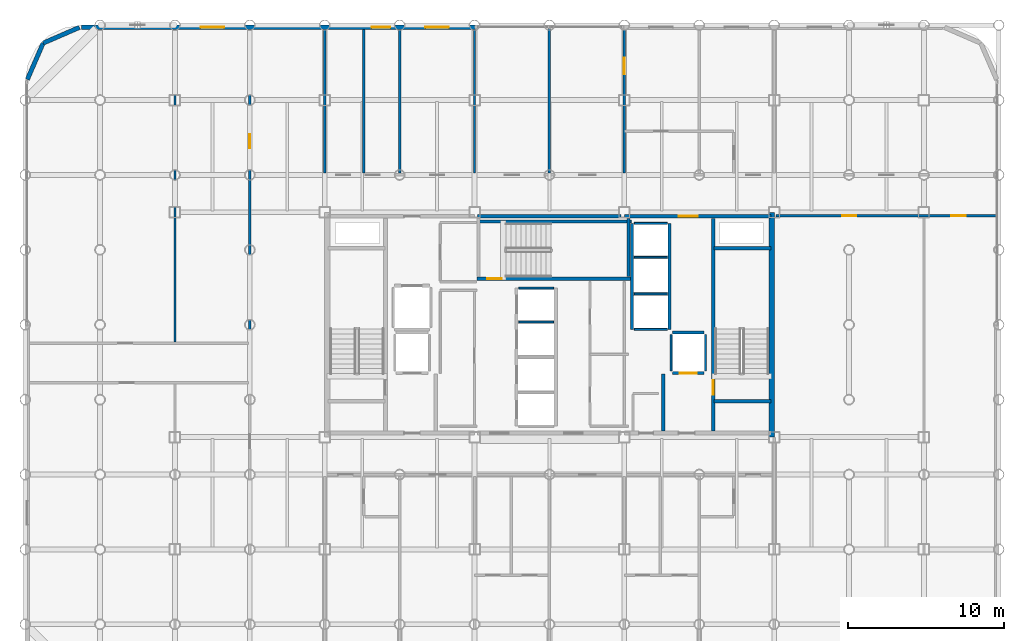
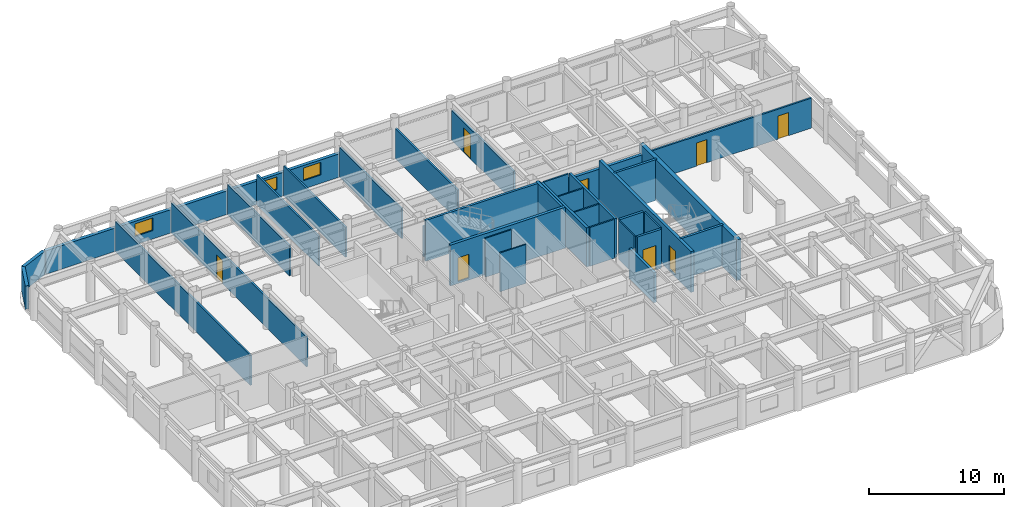
# One storey, part 18 of 20: 34 walls, 8 doors, 3 windows, 11 openings.
"""IFC4 building model written with IfcOpenShell, lengths in metres."""

from ifc_helpers import new_model, si_unit, direction, frame, frame_2d, origin, place, context, subcontext, project, spatial, rectangle, extrude, material, layer, layer_set, type_object, element, fill, save


model = new_model("IFC4")

# Units and contexts
model_context = context("Model", 3, precision=1e-05, world=origin(), true_north=direction((0.0, 1.0)))
body_context = subcontext(model_context, "Body", "Model", "MODEL_VIEW")
ifc_project = project(units=[si_unit("LENGTHUNIT", "METRE"), si_unit("AREAUNIT", "SQUARE_METRE"), si_unit("VOLUMEUNIT", "CUBIC_METRE"), si_unit("PLANEANGLEUNIT", "RADIAN"), si_unit("MASSUNIT", "GRAM", prefix="KILO")], contexts=[model_context])

# Site, building, storey
site_placement = place(None, origin())
site = spatial("IfcSite", under=ifc_project, at=site_placement, CompositionType="ELEMENT")
building_placement = place(site_placement, origin())
building = spatial("IfcBuilding", under=site, at=building_placement, Name="Kallvorn Hotel Tower", CompositionType="ELEMENT")
storey_placement = place(building_placement, frame((0.0, 0.0, 161.800048828125)))
storey = spatial("IfcBuildingStorey", under=building, at=storey_placement, Name="L40", CompositionType="ELEMENT", Elevation=161.800048828125)

# Walls
ifc_material_1 = material(Name="Concrete C50/60", Category="concrete")
ifc_layer_1 = layer(ifc_material_1, 0.35009765625)
ifc_layer_set_1 = layer_set([ifc_layer_1], Name="WL_CORE_350")
wall_type_1 = type_object("IfcWallType", Name="WL_CORE_350", PredefinedType="SHEAR", material=ifc_layer_set_1)
wall_1_placement = place(storey_placement, frame((14.239990234375, -7.199951171875, -0.179931640625), z_axis=(0.0, 0.0, 1.0), x_axis=(0.0, 1.0, 0.0)))
element("IfcWall", 1, at=wall_1_placement, inside=storey, type_object=wall_type_1, Name="L40 Core East Shear Wall", PredefinedType="SHEAR", context=body_context, shape_type="SweptSolid", body=[
    extrude(rectangle(XDim=14.39990234375, YDim=0.35009765625, at=frame_2d((7.199951171875, 0.0))), origin(), (0.0, 0.0, 1.0), 3.699951171875),
])
ifc_material_2 = material(Name="Fire-rated double-layer acoustic gypsum drywall EI 60")
ifc_layer_2 = layer(ifc_material_2, 0.159912109375)
ifc_layer_set_2 = layer_set([ifc_layer_2], Name="WL_DEMISE_160")
wall_type_2 = type_object("IfcWallType", Name="WL_DEMISE_160", PredefinedType="PARTITIONING", material=ifc_layer_set_2)
wall_2_placement = place(storey_placement, frame((0.0, 9.719970703125, 0.0), z_axis=(0.0, 0.0, 1.0), x_axis=(0.0, 1.0, 0.0)))
element("IfcWall", 2, at=wall_2_placement, inside=storey, type_object=wall_type_2, Name="L40 Suite 4005 Junior Living Salon Partition", PredefinedType="PARTITIONING", context=body_context, shape_type="SweptSolid", body=[
    extrude(rectangle(XDim=9.275146484375, YDim=0.159912109375, at=frame_2d((4.6376953125, 0.0))), origin(), (0.0, 0.0, 1.0), 2.719970703125),
])

# Wall, opening, door
wall_3_placement = place(storey_placement, frame((4.800048828125, 9.719970703125, 0.0), z_axis=(0.0, 0.0, 1.0), x_axis=(0.0, 1.0, 0.0)))
wall_3 = element("IfcWall", 3, at=wall_3_placement, inside=storey, type_object=wall_type_2, Name="L40 Suite 4005 Junior Living Salon Partition", PredefinedType="PARTITIONING", context=body_context, shape_type="SweptSolid", body=[
    extrude(rectangle(XDim=9.18994140625, YDim=0.159912109375, at=frame_2d((4.594970703125, 0.0))), origin(), (0.0, 0.0, 1.0), 2.719970703125),
])
opening_1_placement = place(wall_3_placement, frame((6.346923828125, 0.0, 0.0)))
opening_1 = element("IfcOpeningElement", 4, at=opening_1_placement, cuts=wall_3, Name="Opening GD2", PredefinedType="OPENING", context=body_context, shape_type="SweptSolid", body=[
    extrude(rectangle(XDim=1.050048828125, YDim=2.199951171875, at=frame_2d((0.52490234375, 1.10009765625))), frame((0.0, 0.094970703125, 0.0), z_axis=(0.0, -1.0, 0.0), x_axis=(1.0, 0.0, 0.0)), (0.0, 0.0, 1.0), 0.18994140625),
])
ifc_material_3 = material(Name="Solid-core walnut veneer fire-rated timber door leaf", Category="wood")
door_type_1 = type_object("IfcDoorType", Name="DR_SUITE_1050x2200", OperationType="NOTDEFINED", PredefinedType="DOOR", material=ifc_material_3)
door_1_placement = place(opening_1_placement, origin())
door_1 = element("IfcDoor", 5, at=door_1_placement, inside=storey, type_object=door_type_1, Name="L40 Suite 4005 Junior Bedroom Door", OperationType="SINGLE_SWING_LEFT", OverallHeight=2.199951171875, OverallWidth=1.050048828125, PredefinedType="DOOR", context=body_context, shape_type="SweptSolid", body=[
    extrude(rectangle(XDim=1.050048828125, YDim=2.199951171875, at=frame_2d((0.52490234375, 1.10009765625))), frame((0.0, 0.02490234375, 0.0), z_axis=(0.0, -1.0, 0.0), x_axis=(1.0, 0.0, 0.0)), (0.0, 0.0, 1.0), 0.050048828125),
])
fill(opening_1, door_1)

# Walls
ifc_material_4 = material(Name="Precast basalt-clad insulated concrete wall C40/50", Category="masonry")
ifc_layer_3 = layer(ifc_material_4, 0.280029296875)
ifc_layer_set_3 = layer_set([ifc_layer_3], Name="WL_EXT_LOGGIA_280")
wall_type_3 = type_object("IfcWallType", Name="WL_EXT_LOGGIA_280", PredefinedType="SOLIDWALL", material=ifc_layer_set_3)
wall_4_placement = place(storey_placement, frame((-30.120849609375, 19.057861328125, 0.0), z_axis=(0.0, 0.0, 1.0), x_axis=(-0.917060872934, -0.398747232384, 0.0)))
element("IfcWall", 6, at=wall_4_placement, inside=storey, type_object=wall_type_3, Name="L40 Rounded Corner Exterior Wall NW1", PredefinedType="SOLIDWALL", context=body_context, shape_type="SweptSolid", body=[
    extrude(rectangle(XDim=2.5361328125, YDim=0.280029296875, at=frame_2d((1.26806640625, 0.0))), origin(), (0.0, 0.0, 1.0), 2.119873046875),
])
wall_5_placement = place(storey_placement, frame((-32.446533203125, 18.046630859375, 0.0), z_axis=(0.0, 0.0, 1.0), x_axis=(-0.398792985289, -0.917040977756, 0.0)))
element("IfcWall", 7, at=wall_5_placement, inside=storey, type_object=wall_type_3, Name="L40 Rounded Corner Exterior Wall NW2", PredefinedType="SOLIDWALL", context=body_context, shape_type="SweptSolid", body=[
    extrude(rectangle(XDim=2.536376953125, YDim=0.280029296875, at=frame_2d((1.26806640625, 0.0))), origin(), (0.0, 0.0, 1.0), 2.119873046875),
])

# Wall, openings, windows
wall_6_placement = place(storey_placement, frame((-30.0, 19.06005859375, 0.0), z_axis=(0.0, 0.0, 1.0), x_axis=(1.0, 0.0, 0.0)))
wall_6 = element("IfcWall", 8, at=wall_6_placement, inside=storey, type_object=wall_type_3, Name="L40 Exterior Envelope Wall EW-L40-NW", PredefinedType="SOLIDWALL", context=body_context, shape_type="SweptSolid", body=[
    extrude(rectangle(XDim=25.25, YDim=0.280029296875, at=frame_2d((12.625, 0.0))), origin(), (0.0, 0.0, 1.0), 2.119873046875),
])
opening_2_placement = place(wall_6_placement, frame((7.64990234375, 0.0, 0.75)))
opening_2 = element("IfcOpeningElement", 9, at=opening_2_placement, cuts=wall_6, Name="Opening W05A", PredefinedType="OPENING", context=body_context, shape_type="SweptSolid", body=[
    extrude(rectangle(XDim=1.5, YDim=1.14990234375, at=frame_2d((0.75, 0.574951171875))), frame((0.0, 0.155029296875, 0.0), z_axis=(0.0, -1.0, 0.0), x_axis=(1.0, 0.0, 0.0)), (0.0, 0.0, 1.0), 0.31005859375),
])
opening_3_placement = place(wall_6_placement, frame((18.60009765625, 0.0, 0.75)))
opening_3 = element("IfcOpeningElement", 10, at=opening_3_placement, cuts=wall_6, Name="Opening W06A", PredefinedType="OPENING", context=body_context, shape_type="SweptSolid", body=[
    extrude(rectangle(XDim=1.199951171875, YDim=1.14990234375, at=frame_2d((0.60009765625, 0.574951171875))), frame((0.0, 0.155029296875, 0.0), z_axis=(0.0, -1.0, 0.0), x_axis=(1.0, 0.0, 0.0)), (0.0, 0.0, 1.0), 0.31005859375),
])
opening_4_placement = place(wall_6_placement, frame((22.050048828125, 0.0, 0.75)))
opening_4 = element("IfcOpeningElement", 11, at=opening_4_placement, cuts=wall_6, Name="Opening W05A", PredefinedType="OPENING", context=body_context, shape_type="SweptSolid", body=[
    extrude(rectangle(XDim=1.5, YDim=1.14990234375, at=frame_2d((0.75, 0.574951171875))), frame((0.0, 0.155029296875, 0.0), z_axis=(0.0, -1.0, 0.0), x_axis=(1.0, 0.0, 0.0)), (0.0, 0.0, 1.0), 0.31005859375),
])
ifc_material_5 = material(Name="Triple-glazed low-e acoustic solar-control dark glass", Category="glass")
window_type_1 = type_object("IfcWindowType", Name="WN_HTL_1200x1150", PartitioningType="SINGLE_PANEL", PredefinedType="WINDOW", material=ifc_material_5)
window_1_placement = place(opening_3_placement, origin())
window_1 = element("IfcWindow", 12, at=window_1_placement, inside=storey, type_object=window_type_1, Name="L40 Guestroom Exterior Window 10", OverallHeight=1.14990234375, OverallWidth=1.199951171875, PartitioningType="SINGLE_PANEL", PredefinedType="WINDOW", context=body_context, shape_type="SweptSolid", body=[
    extrude(rectangle(XDim=1.199951171875, YDim=1.14990234375, at=frame_2d((0.60009765625, 0.574951171875))), frame((0.0, 0.030029296875, 0.0), z_axis=(0.0, -1.0, 0.0), x_axis=(1.0, 0.0, 0.0)), (0.0, 0.0, 1.0), 0.06005859375),
])
fill(opening_3, window_1)
ifc_material_6 = material(Name="Double-glazed low-e solar-control dark glass", Category="glass")
window_type_2 = type_object("IfcWindowType", Name="WN_HTL_1500x1150", PartitioningType="SINGLE_PANEL", PredefinedType="WINDOW", material=ifc_material_6)
window_2_placement = place(opening_2_placement, origin())
window_2 = element("IfcWindow", 13, at=window_2_placement, inside=storey, type_object=window_type_2, Name="L40 Guestroom Exterior Window 03", OverallHeight=1.14990234375, OverallWidth=1.5, PartitioningType="SINGLE_PANEL", PredefinedType="WINDOW", context=body_context, shape_type="SweptSolid", body=[
    extrude(rectangle(XDim=1.5, YDim=1.14990234375, at=frame_2d((0.75, 0.574951171875))), frame((0.0, 0.030029296875, 0.0), z_axis=(0.0, -1.0, 0.0), x_axis=(1.0, 0.0, 0.0)), (0.0, 0.0, 1.0), 0.06005859375),
])
fill(opening_2, window_2)
window_3_placement = place(opening_4_placement, origin())
window_3 = element("IfcWindow", 14, at=window_3_placement, inside=storey, type_object=window_type_2, Name="L40 Guestroom Exterior Window 11", OverallHeight=1.14990234375, OverallWidth=1.5, PartitioningType="SINGLE_PANEL", PredefinedType="WINDOW", context=body_context, shape_type="SweptSolid", body=[
    extrude(rectangle(XDim=1.5, YDim=1.14990234375, at=frame_2d((0.75, 0.574951171875))), frame((0.0, 0.030029296875, 0.0), z_axis=(0.0, -1.0, 0.0), x_axis=(1.0, 0.0, 0.0)), (0.0, 0.0, 1.0), 0.06005859375),
])
fill(opening_4, window_3)

# Walls
ifc_material_7 = material(Name="Concrete C40/50", Category="concrete")
ifc_layer_4 = layer(ifc_material_7, 0.219970703125)
ifc_layer_set_4 = layer_set([ifc_layer_4], Name="WL_FFL_220")
wall_type_4 = type_object("IfcWallType", Name="WL_FFL_220", PredefinedType="SOLIDWALL", material=ifc_layer_set_4)
wall_7_placement = place(storey_placement, frame((7.300048828125, -6.820068359375, 0.0), z_axis=(0.0, 0.0, 1.0), x_axis=(0.0, 1.0, 0.0)))
element("IfcWall", 15, at=wall_7_placement, inside=storey, type_object=wall_type_4, Name="L40 Firefighting Lobby East Divider Wall", PredefinedType="SOLIDWALL", context=body_context, shape_type="SweptSolid", body=[
    extrude(rectangle(XDim=3.670166015625, YDim=0.219970703125, at=frame_2d((1.8349609375, 0.0))), origin(), (0.0, 0.0, 1.0), 2.719970703125),
])
ifc_material_8 = material(Name="Concrete C40/50", Category="concrete")
ifc_layer_5 = layer(ifc_material_8, 0.199951171875)
ifc_layer_set_5 = layer_set([ifc_layer_5], Name="WL_HOIST_200")
wall_type_5 = type_object("IfcWallType", Name="WL_HOIST_200", PredefinedType="SOLIDWALL", material=ifc_layer_set_5)
for number, where, z_axis, x_axis, name in (
    (16, (10.550048828125, -4.89990234375, -0.179931640625), (0.0, 0.0, 1.0), (1.0, 0.0, 0.0), "L40 Stair ST2 South Wall"),
    (17, (10.550048828125, 4.89990234375, -0.179931640625), (0.0, 0.0, 1.0), (1.0, 0.0, 0.0), "L40 Stair ST2 North Wall"),
):
    element("IfcWall", number, at=place(storey_placement, frame(where, z_axis=z_axis, x_axis=x_axis)), inside=storey, type_object=wall_type_5, Name=name, PredefinedType="SOLIDWALL", context=body_context, shape_type="SweptSolid", body=[
        extrude(rectangle(XDim=3.64990234375, YDim=0.199951171875, at=frame_2d((1.824951171875, 0.0))), origin(), (0.0, 0.0, 1.0), 3.699951171875),
    ])
wall_8_placement = place(storey_placement, frame((-4.64990234375, 6.610107421875, -0.179931640625), z_axis=(0.0, 0.0, 1.0), x_axis=(1.0, 0.0, 0.0)))
element("IfcWall", 18, at=wall_8_placement, inside=storey, type_object=wall_type_5, Name="L40 Stair ST3 Shaft North Wall", PredefinedType="SOLIDWALL", context=body_context, shape_type="SweptSolid", body=[
    extrude(rectangle(XDim=9.89990234375, YDim=0.199951171875, at=frame_2d((4.949951171875, 0.0))), origin(), (0.0, 0.0, 1.0), 3.699951171875),
])
wall_9_placement = place(storey_placement, frame((5.06005859375, 3.080078125, -0.179931640625), z_axis=(0.0, 0.0, 1.0), x_axis=(0.0, 1.0, 0.0)))
element("IfcWall", 19, at=wall_9_placement, inside=storey, type_object=wall_type_5, Name="L40 Stair ST3 East Wall", PredefinedType="SOLIDWALL", context=body_context, shape_type="SweptSolid", body=[
    extrude(rectangle(XDim=3.739990234375, YDim=0.199951171875, at=frame_2d((1.8701171875, 0.0))), origin(), (0.0, 0.0, 1.0), 3.699951171875),
])
for number, where, z_axis, x_axis, name in (
    (20, (7.699951171875, -0.300048828125, 0.0), (0.0, 0.0, 1.0), (0.0, 1.0, 0.0), "L40 Lift Bank OBS Landing Wall"),
    (21, (5.300048828125, -0.300048828125, 0.0), (0.0, 0.0, 1.0), (0.0, 1.0, 0.0), "L40 Lift Bank OBS Rear Shaft Wall"),
):
    element("IfcWall", number, at=place(storey_placement, frame(where, z_axis=z_axis, x_axis=x_axis)), inside=storey, type_object=wall_type_5, Name=name, PredefinedType="SOLIDWALL", context=body_context, shape_type="SweptSolid", body=[
        extrude(rectangle(XDim=6.800048828125, YDim=0.199951171875, at=frame_2d((3.39990234375, 0.0))), origin(), (0.0, 0.0, 1.0), 3.52001953125),
    ])

# Wall, opening, door
wall_10_placement = place(storey_placement, frame((7.8798828125, -3.10009765625, 0.0), z_axis=(0.0, 0.0, 1.0), x_axis=(1.0, 0.0, 0.0)))
wall_10 = element("IfcWall", 22, at=wall_10_placement, inside=storey, type_object=wall_type_5, Name="L40 FL-2 Landing Wall", PredefinedType="SOLIDWALL", context=body_context, shape_type="SweptSolid", body=[
    extrude(rectangle(XDim=2.0400390625, YDim=0.199951171875, at=frame_2d((1.02001953125, 0.0))), origin(), (0.0, 0.0, 1.0), 3.52001953125),
])
opening_5_placement = place(wall_10_placement, frame((0.469970703125, 0.0, 0.0)))
opening_5 = element("IfcOpeningElement", 23, at=opening_5_placement, cuts=wall_10, Name="Opening LD-FL-2", PredefinedType="OPENING", context=body_context, shape_type="SweptSolid", body=[
    extrude(rectangle(XDim=1.10009765625, YDim=2.199951171875, at=frame_2d((0.550048828125, 1.10009765625))), frame((0.0, 0.114990234375, 0.0), z_axis=(0.0, -1.0, 0.0), x_axis=(1.0, 0.0, 0.0)), (0.0, 0.0, 1.0), 0.22998046875),
])
ifc_material_9 = material(Name="Brushed stainless-steel automatic sliding lift landing door", Category="steel")
door_type_2 = type_object("IfcDoorType", Name="LD_PASS_1100x2200", OperationType="SLIDING_TO_LEFT", PredefinedType="DOOR", material=ifc_material_9)
door_2_placement = place(opening_5_placement, origin())
door_2 = element("IfcDoor", 24, at=door_2_placement, inside=storey, type_object=door_type_2, Name="L40 Lift Landing Sliding Door LD-FL-2", OperationType="SLIDING_TO_LEFT", OverallHeight=2.199951171875, OverallWidth=1.10009765625, PredefinedType="DOOR", context=body_context, shape_type="SweptSolid", body=[
    extrude(rectangle(XDim=1.10009765625, YDim=2.199951171875, at=frame_2d((0.550048828125, 1.10009765625))), frame((0.0, 0.02490234375, 0.0), z_axis=(0.0, -1.0, 0.0), x_axis=(1.0, 0.0, 0.0)), (0.0, 0.0, 1.0), 0.050048828125),
])
fill(opening_5, door_2)

# Walls
wall_11_placement = place(storey_placement, frame((7.8798828125, -0.5, 0.0), z_axis=(0.0, 0.0, 1.0), x_axis=(1.0, 0.0, 0.0)))
element("IfcWall", 25, at=wall_11_placement, inside=storey, type_object=wall_type_5, Name="L40 FL-2 Rear Shaft Wall", PredefinedType="SOLIDWALL", context=body_context, shape_type="SweptSolid", body=[
    extrude(rectangle(XDim=2.0400390625, YDim=0.199951171875, at=frame_2d((1.02001953125, 0.0))), origin(), (0.0, 0.0, 1.0), 3.52001953125),
])
ifc_material_10 = material(Name="Fire-rated double-layer acoustic gypsum drywall EI 60")
ifc_layer_6 = layer(ifc_material_10, 0.1201171875)
ifc_layer_set_6 = layer_set([ifc_layer_6], Name="WL_INT_120")
wall_type_6 = type_object("IfcWallType", Name="WL_INT_120", PredefinedType="PARTITIONING", material=ifc_layer_set_6)
for number, where, z_axis, x_axis, name in (
    (26, (-1.9599609375, 0.175048828125, 0.0), (0.0, 0.0, 1.0), (1.0, 0.0, 0.0), "L40 PL-07 Hoistway Divider"),
    (27, (-1.9599609375, 2.35009765625, 0.0), (0.0, 0.0, 1.0), (1.0, 0.0, 0.0), "L40 PL-08 Hoistway Divider"),
):
    element("IfcWall", number, at=place(storey_placement, frame(where, z_axis=z_axis, x_axis=x_axis)), inside=storey, type_object=wall_type_6, Name=name, PredefinedType="PARTITIONING", context=body_context, shape_type="SweptSolid", body=[
        extrude(rectangle(XDim=2.219970703125, YDim=0.1201171875, at=frame_2d((1.10986328125, 0.0))), origin(), (0.0, 0.0, 1.0), 3.52001953125),
    ])
for number, where, z_axis, x_axis, name in (
    (28, (5.43994140625, -0.300048828125, 0.0), (0.0, 0.0, 1.0), (1.0, 0.0, 0.0), "L40 Lift Bank OBS South Closure Wall"),
    (29, (5.43994140625, 1.97509765625, 0.0), (0.0, 0.0, 1.0), (1.0, 0.0, 0.0), "L40 OB-01 Hoistway Divider"),
    (30, (5.43994140625, 4.324951171875, 0.0), (0.0, 0.0, 1.0), (1.0, 0.0, 0.0), "L40 OB-02 Hoistway Divider"),
    (31, (5.43994140625, 6.5, 0.0), (0.0, 0.0, 1.0), (1.0, 0.0, 0.0), "L40 OB-03 Hoistway Divider"),
):
    element("IfcWall", number, at=place(storey_placement, frame(where, z_axis=z_axis, x_axis=x_axis)), inside=storey, type_object=wall_type_6, Name=name, PredefinedType="PARTITIONING", context=body_context, shape_type="SweptSolid", body=[
        extrude(rectangle(XDim=2.1201171875, YDim=0.1201171875, at=frame_2d((1.06005859375, 0.0))), origin(), (0.0, 0.0, 1.0), 3.52001953125),
    ])
for number, where, z_axis, x_axis, name in (
    (32, (7.800048828125, -2.9599609375, 0.0), (0.0, 0.0, 1.0), (0.0, 1.0, 0.0), "L40 FL-2 West Shaft Wall"),
    (33, (10.0, -2.9599609375, 0.0), (0.0, 0.0, 1.0), (0.0, 1.0, 0.0), "L40 FL-2 East Shaft Wall"),
):
    element("IfcWall", number, at=place(storey_placement, frame(where, z_axis=z_axis, x_axis=x_axis)), inside=storey, type_object=wall_type_6, Name=name, PredefinedType="PARTITIONING", context=body_context, shape_type="SweptSolid", body=[
        extrude(rectangle(XDim=2.320068359375, YDim=0.1201171875, at=frame_2d((1.16015625, 0.0))), origin(), (0.0, 0.0, 1.0), 3.52001953125),
    ])

# Wall, openings, doors
ifc_material_11 = material(Name="Fire-rated double-layer acoustic gypsum drywall EI 60")
ifc_layer_7 = layer(ifc_material_11, 0.14990234375)
ifc_layer_set_7 = layer_set([ifc_layer_7], Name="WL_PART_150")
wall_type_7 = type_object("IfcWallType", Name="WL_PART_150", PredefinedType="PARTITIONING", material=ifc_layer_set_7)
wall_12_placement = place(storey_placement, frame((14.52001953125, 6.97998046875, 0.0), z_axis=(0.0, 0.0, 1.0), x_axis=(1.0, 0.0, 0.0)))
wall_12 = element("IfcWall", 34, at=wall_12_placement, inside=storey, type_object=wall_type_7, Name="L40 L40 South-East Cocktail Bar Partition", PredefinedType="PARTITIONING", context=body_context, shape_type="SweptSolid", body=[
    extrude(rectangle(XDim=14.10986328125, YDim=0.14990234375, at=frame_2d((7.054931640625, 0.0))), origin(), (0.0, 0.0, 1.0), 2.719970703125),
])
opening_6_placement = place(wall_12_placement, frame((4.22998046875, 0.0, 0.0)))
opening_6 = element("IfcOpeningElement", 35, at=opening_6_placement, cuts=wall_12, Name="Opening SVD1", PredefinedType="OPENING", context=body_context, shape_type="SweptSolid", body=[
    extrude(rectangle(XDim=0.89990234375, YDim=2.10009765625, at=frame_2d((0.449951171875, 1.050048828125))), frame((0.0, 0.08984375, 0.0), z_axis=(0.0, -1.0, 0.0), x_axis=(1.0, 0.0, 0.0)), (0.0, 0.0, 1.0), 0.179931640625),
])
opening_7_placement = place(wall_12_placement, frame((11.2451171875, 0.0, 0.0)))
opening_7 = element("IfcOpeningElement", 36, at=opening_7_placement, cuts=wall_12, Name="Opening SVD1", PredefinedType="OPENING", context=body_context, shape_type="SweptSolid", body=[
    extrude(rectangle(XDim=0.89990234375, YDim=2.10009765625, at=frame_2d((0.449951171875, 1.050048828125))), frame((0.0, 0.08984375, 0.0), z_axis=(0.0, -1.0, 0.0), x_axis=(1.0, 0.0, 0.0)), (0.0, 0.0, 1.0), 0.179931640625),
])
ifc_material_12 = material(Name="Galvanised painted steel fire-rated door assembly", Category="steel")
door_type_3 = type_object("IfcDoorType", Name="DR_SERV_900x2100", OperationType="NOTDEFINED", PredefinedType="DOOR", material=ifc_material_12)
door_3_placement = place(opening_6_placement, origin())
door_3 = element("IfcDoor", 37, at=door_3_placement, inside=storey, type_object=door_type_3, Name="L40 L40 South-East Cocktail Bar Door", OperationType="SINGLE_SWING_LEFT", OverallHeight=2.10009765625, OverallWidth=0.89990234375, PredefinedType="DOOR", context=body_context, shape_type="SweptSolid", body=[
    extrude(rectangle(XDim=0.89990234375, YDim=2.10009765625, at=frame_2d((0.449951171875, 1.050048828125))), frame((0.0, 0.02490234375, 0.0), z_axis=(0.0, -1.0, 0.0), x_axis=(1.0, 0.0, 0.0)), (0.0, 0.0, 1.0), 0.050048828125),
])
fill(opening_6, door_3)
door_4_placement = place(opening_7_placement, origin())
door_4 = element("IfcDoor", 38, at=door_4_placement, inside=storey, type_object=door_type_3, Name="L40 L40 Far-East Design Boutique Door", OperationType="SINGLE_SWING_RIGHT", OverallHeight=2.10009765625, OverallWidth=0.89990234375, PredefinedType="DOOR", context=body_context, shape_type="SweptSolid", body=[
    extrude(rectangle(XDim=0.89990234375, YDim=2.10009765625, at=frame_2d((0.449951171875, 1.050048828125))), frame((0.0, 0.02490234375, 0.0), z_axis=(0.0, -1.0, 0.0), x_axis=(1.0, 0.0, 0.0)), (0.0, 0.0, 1.0), 0.050048828125),
])
fill(opening_7, door_4)

# Wall
wall_13_placement = place(storey_placement, frame((-24.0, -1.094970703125, 0.0), z_axis=(0.0, 0.0, 1.0), x_axis=(0.0, 1.0, 0.0)))
element("IfcWall", 39, at=wall_13_placement, inside=storey, type_object=wall_type_7, Name="L40 L40 Inner North-West Reading Salon Partition", PredefinedType="PARTITIONING", context=body_context, shape_type="SweptSolid", body=[
    extrude(rectangle(XDim=20.0048828125, YDim=0.14990234375, at=frame_2d((10.00244140625, 0.0))), origin(), (0.0, 0.0, 1.0), 2.719970703125),
])

# Wall, opening, door
wall_14_placement = place(storey_placement, frame((-19.199951171875, -1.094970703125, 0.0), z_axis=(0.0, 0.0, 1.0), x_axis=(0.0, 1.0, 0.0)))
wall_14 = element("IfcWall", 40, at=wall_14_placement, inside=storey, type_object=wall_type_7, Name="L40 L40 Inner North-West Reading Salon Partition", PredefinedType="PARTITIONING", context=body_context, shape_type="SweptSolid", body=[
    extrude(rectangle(XDim=20.0048828125, YDim=0.14990234375, at=frame_2d((10.00244140625, 0.0))), origin(), (0.0, 0.0, 1.0), 2.719970703125),
])
opening_8_placement = place(wall_14_placement, frame((12.39697265625, 0.0, 0.0)))
opening_8 = element("IfcOpeningElement", 41, at=opening_8_placement, cuts=wall_14, Name="Opening SVD1", PredefinedType="OPENING", context=body_context, shape_type="SweptSolid", body=[
    extrude(rectangle(XDim=0.89990234375, YDim=2.10009765625, at=frame_2d((0.449951171875, 1.050048828125))), frame((0.0, 0.08984375, 0.0), z_axis=(0.0, -1.0, 0.0), x_axis=(1.0, 0.0, 0.0)), (0.0, 0.0, 1.0), 0.179931640625),
])
door_5_placement = place(opening_8_placement, origin())
door_5 = element("IfcDoor", 42, at=door_5_placement, inside=storey, type_object=door_type_3, Name="L40 L40 Inner North-West Reading Salon Door", OperationType="SINGLE_SWING_RIGHT", OverallHeight=2.10009765625, OverallWidth=0.89990234375, PredefinedType="DOOR", context=body_context, shape_type="SweptSolid", body=[
    extrude(rectangle(XDim=0.89990234375, YDim=2.10009765625, at=frame_2d((0.449951171875, 1.050048828125))), frame((0.0, 0.02490234375, 0.0), z_axis=(0.0, -1.0, 0.0), x_axis=(1.0, 0.0, 0.0)), (0.0, 0.0, 1.0), 0.050048828125),
])
fill(opening_8, door_5)

# Walls
for number, where, z_axis, x_axis, name in (
    (43, (-14.39990234375, 9.719970703125, 0.0), (0.0, 0.0, 1.0), (0.0, 1.0, 0.0), "L40 Housekeeping and Linen Room Partition"),
    (44, (-11.905029296875, 9.719970703125, 0.0), (0.0, 0.0, 1.0), (0.0, 1.0, 0.0), "L40 Guest Tea and Refreshment Bar Partition"),
    (45, (-9.60009765625, 9.719970703125, 0.0), (0.0, 0.0, 1.0), (0.0, 1.0, 0.0), "L40 Guest Tea and Refreshment Bar Partition"),
    (46, (-4.800048828125, 9.719970703125, 0.0), (0.0, 0.0, 1.0), (0.0, 1.0, 0.0), "L40 L40 Executive Co-Working Open-Plan Office 2-1 Partition"),
):
    element("IfcWall", number, at=place(storey_placement, frame(where, z_axis=z_axis, x_axis=x_axis)), inside=storey, type_object=wall_type_7, Name=name, PredefinedType="PARTITIONING", context=body_context, shape_type="SweptSolid", body=[
        extrude(rectangle(XDim=9.18994140625, YDim=0.14990234375, at=frame_2d((4.594970703125, 0.0))), origin(), (0.0, 0.0, 1.0), 2.719970703125),
    ])
ifc_material_13 = material(Name="Concrete C40/50", Category="concrete")
ifc_layer_8 = layer(ifc_material_13, 0.25)
ifc_layer_set_8 = layer_set([ifc_layer_8], Name="WL_SHAFT_250")
wall_type_8 = type_object("IfcWallType", Name="WL_SHAFT_250", PredefinedType="SOLIDWALL", material=ifc_layer_set_8)
wall_15_placement = place(storey_placement, frame((-4.60009765625, 6.949951171875, 0.0), z_axis=(0.0, 0.0, 1.0), x_axis=(1.0, 0.0, 0.0)))
element("IfcWall", 47, at=wall_15_placement, inside=storey, type_object=wall_type_8, Name="L40 Core North-Central Wall", PredefinedType="SOLIDWALL", context=body_context, shape_type="SweptSolid", body=[
    extrude(rectangle(XDim=9.2001953125, YDim=0.25, at=frame_2d((4.60009765625, 0.0))), origin(), (0.0, 0.0, 1.0), 2.719970703125),
])

# Wall, opening, door
wall_16_placement = place(storey_placement, frame((4.800048828125, 6.949951171875, 0.0), z_axis=(0.0, 0.0, 1.0), x_axis=(1.0, 0.0, 0.0)))
wall_16 = element("IfcWall", 48, at=wall_16_placement, inside=storey, type_object=wall_type_8, Name="L40 Core North-East Wall", PredefinedType="SOLIDWALL", context=body_context, shape_type="SweptSolid", body=[
    extrude(rectangle(XDim=9.39990234375, YDim=0.25, at=frame_2d((4.699951171875, 0.0))), origin(), (0.0, 0.0, 1.0), 2.719970703125),
])
opening_9_placement = place(wall_16_placement, frame((3.5, 0.0, 0.0)))
opening_9 = element("IfcOpeningElement", 49, at=opening_9_placement, cuts=wall_16, Name="Opening FD2", PredefinedType="OPENING", context=body_context, shape_type="SweptSolid", body=[
    extrude(rectangle(XDim=1.199951171875, YDim=2.199951171875, at=frame_2d((0.60009765625, 1.10009765625))), frame((0.0, 0.139892578125, 0.0), z_axis=(0.0, -1.0, 0.0), x_axis=(1.0, 0.0, 0.0)), (0.0, 0.0, 1.0), 0.280029296875),
])
ifc_material_14 = material(Name="Galvanised painted steel fire-rated door assembly", Category="steel")
door_type_4 = type_object("IfcDoorType", Name="DR_LOBBY_1200x2200", OperationType="DOUBLE_DOOR_SINGLE_SWING", PredefinedType="DOOR", material=ifc_material_14)
door_6_placement = place(opening_9_placement, origin())
door_6 = element("IfcDoor", 50, at=door_6_placement, inside=storey, type_object=door_type_4, Name="L40 Observatory Shuttle Lobby Door", OperationType="DOUBLE_DOOR_SINGLE_SWING", OverallHeight=2.199951171875, OverallWidth=1.199951171875, PredefinedType="DOOR", context=body_context, shape_type="SweptSolid", body=[
    extrude(rectangle(XDim=1.199951171875, YDim=2.199951171875, at=frame_2d((0.60009765625, 1.10009765625))), frame((0.0, 0.02490234375, 0.0), z_axis=(0.0, -1.0, 0.0), x_axis=(1.0, 0.0, 0.0)), (0.0, 0.0, 1.0), 0.050048828125),
])
fill(opening_9, door_6)

wall_17_placement = place(storey_placement, frame((10.5, -6.820068359375, -0.179931640625), z_axis=(0.0, 0.0, 1.0), x_axis=(0.0, 1.0, 0.0)))
wall_17 = element("IfcWall", 51, at=wall_17_placement, inside=storey, type_object=wall_type_8, Name="L40 Stair ST2 Shaft Wall", PredefinedType="SOLIDWALL", context=body_context, shape_type="SweptSolid", body=[
    extrude(rectangle(XDim=13.64013671875, YDim=0.25, at=frame_2d((6.820068359375, 0.0))), origin(), (0.0, 0.0, 1.0), 3.699951171875),
])
opening_10_placement = place(wall_17_placement, frame((2.320068359375, 0.0, 0.179931640625)))
opening_10 = element("IfcOpeningElement", 52, at=opening_10_placement, cuts=wall_17, Name="Opening SD1", PredefinedType="OPENING", context=body_context, shape_type="SweptSolid", body=[
    extrude(rectangle(XDim=0.949951171875, YDim=2.14990234375, at=frame_2d((0.47509765625, 1.074951171875))), frame((0.0, 0.139892578125, 0.0), z_axis=(0.0, -1.0, 0.0), x_axis=(1.0, 0.0, 0.0)), (0.0, 0.0, 1.0), 0.280029296875),
])
ifc_material_15 = material(Name="Galvanised painted steel fire-rated door assembly", Category="steel")
door_type_5 = type_object("IfcDoorType", Name="DR_STAIR_950x2150", OperationType="NOTDEFINED", PredefinedType="DOOR", material=ifc_material_15)
door_7_placement = place(opening_10_placement, origin())
door_7 = element("IfcDoor", 53, at=door_7_placement, inside=storey, type_object=door_type_5, Name="L40 Exit Stair ST2 Fire Door", OperationType="SINGLE_SWING_RIGHT", OverallHeight=2.14990234375, OverallWidth=0.949951171875, PredefinedType="DOOR", context=body_context, shape_type="SweptSolid", body=[
    extrude(rectangle(XDim=0.949951171875, YDim=2.14990234375, at=frame_2d((0.47509765625, 1.074951171875))), frame((0.0, 0.02490234375, 0.0), z_axis=(0.0, -1.0, 0.0), x_axis=(1.0, 0.0, 0.0)), (0.0, 0.0, 1.0), 0.050048828125),
])
fill(opening_10, door_7)

wall_18_placement = place(storey_placement, frame((-4.64990234375, 2.949951171875, -0.179931640625), z_axis=(0.0, 0.0, 1.0), x_axis=(1.0, 0.0, 0.0)))
wall_18 = element("IfcWall", 54, at=wall_18_placement, inside=storey, type_object=wall_type_8, Name="L40 Stair ST3 Shaft South Wall", PredefinedType="SOLIDWALL", context=body_context, shape_type="SweptSolid", body=[
    extrude(rectangle(XDim=9.89990234375, YDim=0.25, at=frame_2d((4.949951171875, 0.0))), origin(), (0.0, 0.0, 1.0), 3.699951171875),
])
opening_11_placement = place(wall_18_placement, frame((0.64990234375, 0.0, 0.179931640625)))
opening_11 = element("IfcOpeningElement", 55, at=opening_11_placement, cuts=wall_18, Name="Opening SD1", PredefinedType="OPENING", context=body_context, shape_type="SweptSolid", body=[
    extrude(rectangle(XDim=0.949951171875, YDim=2.14990234375, at=frame_2d((0.47509765625, 1.074951171875))), frame((0.0, 0.139892578125, 0.0), z_axis=(0.0, -1.0, 0.0), x_axis=(1.0, 0.0, 0.0)), (0.0, 0.0, 1.0), 0.280029296875),
])
door_8_placement = place(opening_11_placement, origin())
door_8 = element("IfcDoor", 56, at=door_8_placement, inside=storey, type_object=door_type_5, Name="L40 Exit Stair ST3 Fire Door", OperationType="SINGLE_SWING_LEFT", OverallHeight=2.14990234375, OverallWidth=0.949951171875, PredefinedType="DOOR", context=body_context, shape_type="SweptSolid", body=[
    extrude(rectangle(XDim=0.949951171875, YDim=2.14990234375, at=frame_2d((0.47509765625, 1.074951171875))), frame((0.0, 0.02490234375, 0.0), z_axis=(0.0, -1.0, 0.0), x_axis=(1.0, 0.0, 0.0)), (0.0, 0.0, 1.0), 0.050048828125),
])
fill(opening_11, door_8)

save(model, "model.ifc")
